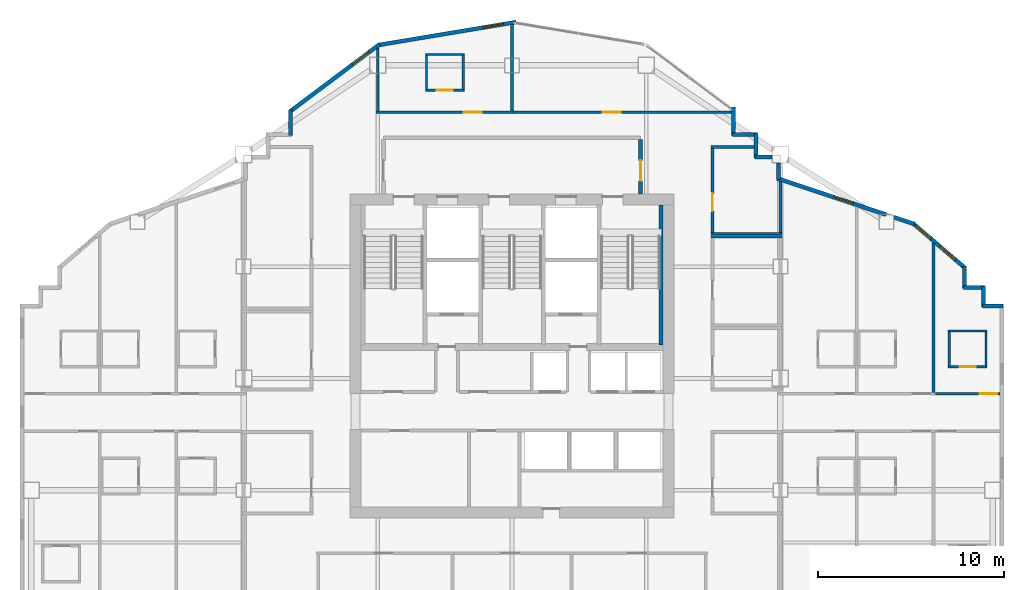
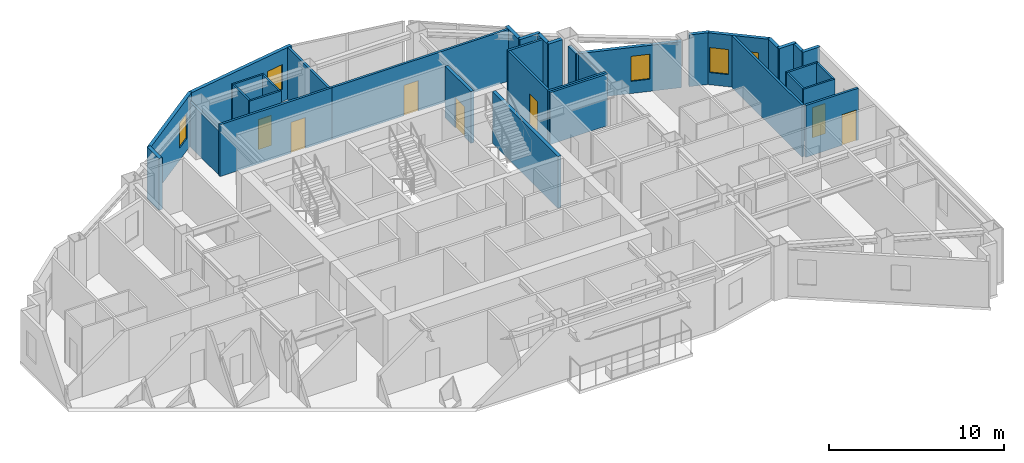
# One storey, part 9 of 11: 36 walls, 7 doors, 5 windows, 12 openings.
"""IFC4 building model written with IfcOpenShell, lengths in metres."""

from ifc_helpers import new_model, si_unit, direction, frame, frame_2d, origin, place, context, subcontext, project, spatial, rectangle, extrude, material, layer, layer_set, type_object, element, fill, save


model = new_model("IFC4")

# Units and contexts
model_context = context("Model", 3, precision=1e-05, world=origin(), true_north=direction((0.0, 1.0)))
body_context = subcontext(model_context, "Body", "Model", "MODEL_VIEW")
ifc_project = project(units=[si_unit("LENGTHUNIT", "METRE"), si_unit("AREAUNIT", "SQUARE_METRE"), si_unit("VOLUMEUNIT", "CUBIC_METRE"), si_unit("PLANEANGLEUNIT", "RADIAN"), si_unit("MASSUNIT", "GRAM", prefix="KILO")], contexts=[model_context])

# Site, building, storey
site_placement = place(None, origin())
site = spatial("IfcSite", under=ifc_project, at=site_placement, CompositionType="ELEMENT")
building_placement = place(site_placement, origin())
building = spatial("IfcBuilding", under=site, at=building_placement, Name="Haolan Belvedere Tower", CompositionType="ELEMENT")
storey_placement = place(building_placement, frame((0.0, 0.0, 223.0)))
storey = spatial("IfcBuildingStorey", under=building, at=storey_placement, Name="L56", CompositionType="ELEMENT", Elevation=223.0)

# Walls
ifc_material_1 = material(Name="Precast concrete C40/50", Category="concrete")
ifc_layer_1 = layer(ifc_material_1, 0.219970703125, Name="Precast concrete C40/50")
ifc_layer_set_1 = layer_set([ifc_layer_1], Name="Precast concrete C40/50")
wall_type_1 = type_object("IfcWallType", Name="WL-EXT-220", PredefinedType="SOLIDWALL", material=ifc_layer_set_1)
wall_1_placement = place(storey_placement, frame((64.7451171875, 37.489990234375, 0.0), z_axis=(0.0, 0.0, 1.0), x_axis=(-1.0, 0.0, 0.0)))
element("IfcWall", 1, at=wall_1_placement, inside=storey, type_object=wall_type_1, Name="L56 pale-metal exterior spandrel wall 9.1", PredefinedType="SOLIDWALL", context=body_context, shape_type="SweptSolid", body=[
    extrude(rectangle(XDim=1.110107421875, YDim=0.219970703125, at=frame_2d((0.55517578125, 0.0))), origin(), (0.0, 0.0, 1.0), 3.6201171875),
])
wall_2_placement = place(storey_placement, frame((63.68994140625, 37.43505859375, 0.0), z_axis=(0.0, 0.0, 1.0), x_axis=(0.0, 1.0, 0.0)))
element("IfcWall", 2, at=wall_2_placement, inside=storey, type_object=wall_type_1, Name="L56 pale-metal exterior spandrel wall 10.1", PredefinedType="SOLIDWALL", context=body_context, shape_type="SweptSolid", body=[
    extrude(rectangle(XDim=1.10986328125, YDim=0.219970703125, at=frame_2d((0.554931640625, 0.0))), origin(), (0.0, 0.0, 1.0), 3.6201171875),
])
wall_3_placement = place(storey_placement, frame((63.7451171875, 38.489990234375, 0.0), z_axis=(0.0, 0.0, 1.0), x_axis=(-1.0, 0.0, 0.0)))
element("IfcWall", 3, at=wall_3_placement, inside=storey, type_object=wall_type_1, Name="L56 pale-metal exterior spandrel wall 11.1", PredefinedType="SOLIDWALL", context=body_context, shape_type="SweptSolid", body=[
    extrude(rectangle(XDim=1.110107421875, YDim=0.219970703125, at=frame_2d((0.55517578125, 0.0))), origin(), (0.0, 0.0, 1.0), 3.6201171875),
])
wall_4_placement = place(storey_placement, frame((62.68994140625, 38.43505859375, 0.0), z_axis=(0.0, 0.0, 1.0), x_axis=(0.0, 1.0, 0.0)))
element("IfcWall", 4, at=wall_4_placement, inside=storey, type_object=wall_type_1, Name="L56 pale-metal exterior spandrel wall 12.1", PredefinedType="SOLIDWALL", context=body_context, shape_type="SweptSolid", body=[
    extrude(rectangle(XDim=1.16943359375, YDim=0.219970703125, at=frame_2d((0.584716796875, 0.0))), origin(), (0.0, 0.0, 1.0), 3.6201171875),
])

# Wall, openings, windows
wall_5_placement = place(storey_placement, frame((62.731689453125, 39.513671875, 0.0), z_axis=(0.0, 0.0, 1.0), x_axis=(-0.759251976569, 0.65079677018, 0.0)))
wall_5 = element("IfcWall", 5, at=wall_5_placement, inside=storey, type_object=wall_type_1, Name="L56 pale-metal exterior spandrel wall 13.1", PredefinedType="SOLIDWALL", context=body_context, shape_type="SweptSolid", body=[
    extrude(rectangle(XDim=3.7255859375, YDim=0.219970703125, at=frame_2d((1.86279296875, 0.0))), origin(), (0.0, 0.0, 1.0), 3.6201171875),
])
opening_1_placement = place(wall_5_placement, frame((0.699951171875, 0.0, 0.85009765625)))
opening_1 = element("IfcOpeningElement", 6, at=opening_1_placement, cuts=wall_5, Name="Opening W-03", PredefinedType="OPENING", context=body_context, shape_type="SweptSolid", body=[
    extrude(rectangle(XDim=1.10009765625, YDim=1.75, at=frame_2d((0.550048828125, 0.875))), frame((0.0, 0.119873046875, 0.0), z_axis=(0.0, -1.0, 0.0), x_axis=(1.0, 0.0, 0.0)), (0.0, 0.0, 1.0), 0.239990234375),
])
opening_2_placement = place(wall_5_placement, frame((2.435546875, 0.0, 0.85009765625)))
opening_2 = element("IfcOpeningElement", 7, at=opening_2_placement, cuts=wall_5, Name="Opening W-03", PredefinedType="OPENING", context=body_context, shape_type="SweptSolid", body=[
    extrude(rectangle(XDim=1.10009765625, YDim=1.75, at=frame_2d((0.550048828125, 0.875))), frame((0.0, 0.119873046875, 0.0), z_axis=(0.0, -1.0, 0.0), x_axis=(1.0, 0.0, 0.0)), (0.0, 0.0, 1.0), 0.239990234375),
])
ifc_material_2 = material(Name="Anodised aluminium 6063-T6 and Low-E glass", Category="aluminium")
window_type = type_object("IfcWindowType", Name="WN-DECO-Z3", PartitioningType="SINGLE_PANEL", PredefinedType="WINDOW", material=ifc_material_2)
window_1_placement = place(opening_1_placement, origin())
window_1 = element("IfcWindow", 8, at=window_1_placement, inside=storey, type_object=window_type, Name="L56 Art Deco chevron window 1", OverallHeight=1.75, OverallWidth=1.10009765625, PartitioningType="SINGLE_PANEL", PredefinedType="WINDOW", context=body_context, shape_type="SweptSolid", body=[
    extrude(rectangle(XDim=1.10009765625, YDim=1.75, at=frame_2d((0.550048828125, 0.875))), frame((0.0, 0.030029296875, 0.0), z_axis=(0.0, -1.0, 0.0), x_axis=(1.0, 0.0, 0.0)), (0.0, 0.0, 1.0), 0.06005859375),
])
fill(opening_1, window_1)
window_2_placement = place(opening_2_placement, origin())
window_2 = element("IfcWindow", 9, at=window_2_placement, inside=storey, type_object=window_type, Name="L56 Art Deco guestroom window 2", OverallHeight=1.75, OverallWidth=1.10009765625, PartitioningType="SINGLE_PANEL", PredefinedType="WINDOW", context=body_context, shape_type="SweptSolid", body=[
    extrude(rectangle(XDim=1.10009765625, YDim=1.75, at=frame_2d((0.550048828125, 0.875))), frame((0.0, 0.030029296875, 0.0), z_axis=(0.0, -1.0, 0.0), x_axis=(1.0, 0.0, 0.0)), (0.0, 0.0, 1.0), 0.06005859375),
])
fill(opening_2, window_2)

# Wall
wall_6_placement = place(storey_placement, frame((59.9970703125, 41.885009765625, 0.0), z_axis=(0.0, 0.0, 1.0), x_axis=(-0.948662335685, 0.316290646166, 0.0)))
element("IfcWall", 10, at=wall_6_placement, inside=storey, type_object=wall_type_1, Name="L56 pale-metal exterior spandrel wall 14.1", PredefinedType="SOLIDWALL", context=body_context, shape_type="SweptSolid", body=[
    extrude(rectangle(XDim=1.164794921875, YDim=0.219970703125, at=frame_2d((0.58251953125, 0.0))), origin(), (0.0, 0.0, 1.0), 3.6201171875),
])

# Wall, opening, window
wall_7_placement = place(storey_placement, frame((58.476318359375, 42.39208984375, 0.0), z_axis=(0.0, 0.0, 1.0), x_axis=(-0.948691231611, 0.316203964339, 0.0)))
wall_7 = element("IfcWall", 11, at=wall_7_placement, inside=storey, type_object=wall_type_1, Name="L56 pale-metal exterior spandrel wall 14.2", PredefinedType="SOLIDWALL", context=body_context, shape_type="SweptSolid", body=[
    extrude(rectangle(XDim=6.154296875, YDim=0.219970703125, at=frame_2d((3.0771484375, 0.0))), origin(), (0.0, 0.0, 1.0), 3.215087890625),
])
opening_3_placement = place(wall_7_placement, frame((1.862548828125, 0.0, 0.85009765625)))
opening_3 = element("IfcOpeningElement", 12, at=opening_3_placement, cuts=wall_7, Name="Opening W-03", PredefinedType="OPENING", context=body_context, shape_type="SweptSolid", body=[
    extrude(rectangle(XDim=1.10009765625, YDim=1.75, at=frame_2d((0.550048828125, 0.875))), frame((0.0, 0.119873046875, 0.0), z_axis=(0.0, -1.0, 0.0), x_axis=(1.0, 0.0, 0.0)), (0.0, 0.0, 1.0), 0.239990234375),
])
window_3_placement = place(opening_3_placement, origin())
window_3 = element("IfcWindow", 13, at=window_3_placement, inside=storey, type_object=window_type, Name="L56 Art Deco chevron window 1", OverallHeight=1.75, OverallWidth=1.10009765625, PartitioningType="SINGLE_PANEL", PredefinedType="WINDOW", context=body_context, shape_type="SweptSolid", body=[
    extrude(rectangle(XDim=1.10009765625, YDim=1.75, at=frame_2d((0.550048828125, 0.875))), frame((0.0, 0.030029296875, 0.0), z_axis=(0.0, -1.0, 0.0), x_axis=(1.0, 0.0, 0.0)), (0.0, 0.0, 1.0), 0.06005859375),
])
fill(opening_3, window_3)

# Walls
wall_8_placement = place(storey_placement, frame((52.68994140625, 44.265625, 0.0), z_axis=(0.0, 0.0, 1.0), x_axis=(0.0, 1.0, 0.0)))
element("IfcWall", 14, at=wall_8_placement, inside=storey, type_object=wall_type_1, Name="L56 pale-metal exterior spandrel wall 15.1", PredefinedType="SOLIDWALL", context=body_context, shape_type="SweptSolid", body=[
    extrude(rectangle(XDim=0.892333984375, YDim=0.219970703125, at=frame_2d((0.4462890625, 0.0))), origin(), (0.0, 0.0, 1.0), 3.215087890625),
])
wall_9_placement = place(storey_placement, frame((52.35791015625, 45.489990234375, 0.0), z_axis=(0.0, 0.0, 1.0), x_axis=(-1.0, 0.0, 0.0)))
element("IfcWall", 15, at=wall_9_placement, inside=storey, type_object=wall_type_1, Name="L56 pale-metal exterior spandrel wall 16.1", PredefinedType="SOLIDWALL", context=body_context, shape_type="SweptSolid", body=[
    extrude(rectangle(XDim=0.9228515625, YDim=0.219970703125, at=frame_2d((0.46142578125, 0.0))), origin(), (0.0, 0.0, 1.0), 3.6201171875),
])
wall_10_placement = place(storey_placement, frame((51.489990234375, 45.43505859375, 0.0), z_axis=(0.0, 0.0, 1.0), x_axis=(0.0, 1.0, 0.0)))
element("IfcWall", 16, at=wall_10_placement, inside=storey, type_object=wall_type_1, Name="L56 pale-metal exterior spandrel wall 17.1", PredefinedType="SOLIDWALL", context=body_context, shape_type="SweptSolid", body=[
    extrude(rectangle(XDim=1.31005859375, YDim=0.219970703125, at=frame_2d((0.655029296875, 0.0))), origin(), (0.0, 0.0, 1.0), 3.6201171875),
])
wall_11_placement = place(storey_placement, frame((51.544921875, 46.68994140625, 0.0), z_axis=(0.0, 0.0, 1.0), x_axis=(-1.0, 0.0, 0.0)))
element("IfcWall", 17, at=wall_11_placement, inside=storey, type_object=wall_type_1, Name="L56 pale-metal exterior spandrel wall 18.1", PredefinedType="SOLIDWALL", context=body_context, shape_type="SweptSolid", body=[
    extrude(rectangle(XDim=1.309814453125, YDim=0.219970703125, at=frame_2d((0.65478515625, 0.0))), origin(), (0.0, 0.0, 1.0), 3.6201171875),
])
wall_12_placement = place(storey_placement, frame((50.2900390625, 46.635009765625, 0.0), z_axis=(0.0, 0.0, 1.0), x_axis=(0.0, 1.0, 0.0)))
element("IfcWall", 18, at=wall_12_placement, inside=storey, type_object=wall_type_1, Name="L56 pale-metal exterior spandrel wall 19.1", PredefinedType="SOLIDWALL", context=body_context, shape_type="SweptSolid", body=[
    extrude(rectangle(XDim=1.534912109375, YDim=0.219970703125, at=frame_2d((0.767578125, 0.0))), origin(), (0.0, 0.0, 1.0), 3.6201171875),
])

# Wall, opening, window
wall_13_placement = place(storey_placement, frame((38.621826171875, 52.7255859375, 0.0), z_axis=(0.0, 0.0, 1.0), x_axis=(-0.986390420428, -0.164420006349, 0.0)))
wall_13 = element("IfcWall", 19, at=wall_13_placement, inside=storey, type_object=wall_type_1, Name="L56 pale-metal exterior spandrel wall 22.1", PredefinedType="SOLIDWALL", context=body_context, shape_type="SweptSolid", body=[
    extrude(rectangle(XDim=7.5341796875, YDim=0.219970703125, at=frame_2d((3.76708984375, 0.0))), origin(), (0.0, 0.0, 1.0), 3.6201171875),
])
opening_4_placement = place(wall_13_placement, frame((0.699951171875, 0.0, 0.85009765625)))
opening_4 = element("IfcOpeningElement", 20, at=opening_4_placement, cuts=wall_13, Name="Opening W-03", PredefinedType="OPENING", context=body_context, shape_type="SweptSolid", body=[
    extrude(rectangle(XDim=1.10009765625, YDim=1.75, at=frame_2d((0.550048828125, 0.875))), frame((0.0, 0.119873046875, 0.0), z_axis=(0.0, -1.0, 0.0), x_axis=(1.0, 0.0, 0.0)), (0.0, 0.0, 1.0), 0.239990234375),
])
window_4_placement = place(opening_4_placement, origin())
window_4 = element("IfcWindow", 21, at=window_4_placement, inside=storey, type_object=window_type, Name="L56 Art Deco chevron window 1", OverallHeight=1.75, OverallWidth=1.10009765625, PartitioningType="SINGLE_PANEL", PredefinedType="WINDOW", context=body_context, shape_type="SweptSolid", body=[
    extrude(rectangle(XDim=1.10009765625, YDim=1.75, at=frame_2d((0.550048828125, 0.875))), frame((0.0, 0.030029296875, 0.0), z_axis=(0.0, -1.0, 0.0), x_axis=(1.0, 0.0, 0.0)), (0.0, 0.0, 1.0), 0.06005859375),
])
fill(opening_4, window_4)

wall_14_placement = place(storey_placement, frame((31.28857421875, 51.52880859375, 0.0), z_axis=(0.0, 0.0, 1.0), x_axis=(-0.800014580093, -0.599980559383, 0.0)))
wall_14 = element("IfcWall", 22, at=wall_14_placement, inside=storey, type_object=wall_type_1, Name="L56 pale-metal exterior spandrel wall 23.1", PredefinedType="SOLIDWALL", context=body_context, shape_type="SweptSolid", body=[
    extrude(rectangle(XDim=6.028076171875, YDim=0.219970703125, at=frame_2d((3.01416015625, 0.0))), origin(), (0.0, 0.0, 1.0), 3.6201171875),
])
opening_5_placement = place(wall_14_placement, frame((0.699951171875, 0.0, 0.85009765625)))
opening_5 = element("IfcOpeningElement", 23, at=opening_5_placement, cuts=wall_14, Name="Opening W-03", PredefinedType="OPENING", context=body_context, shape_type="SweptSolid", body=[
    extrude(rectangle(XDim=1.10009765625, YDim=1.75, at=frame_2d((0.550048828125, 0.875))), frame((0.0, 0.119873046875, 0.0), z_axis=(0.0, -1.0, 0.0), x_axis=(1.0, 0.0, 0.0)), (0.0, 0.0, 1.0), 0.239990234375),
])
window_5_placement = place(opening_5_placement, origin())
window_5 = element("IfcWindow", 24, at=window_5_placement, inside=storey, type_object=window_type, Name="L56 Art Deco chevron window 1", OverallHeight=1.75, OverallWidth=1.10009765625, PartitioningType="SINGLE_PANEL", PredefinedType="WINDOW", context=body_context, shape_type="SweptSolid", body=[
    extrude(rectangle(XDim=1.10009765625, YDim=1.75, at=frame_2d((0.550048828125, 0.875))), frame((0.0, 0.030029296875, 0.0), z_axis=(0.0, -1.0, 0.0), x_axis=(1.0, 0.0, 0.0)), (0.0, 0.0, 1.0), 0.06005859375),
])
fill(opening_5, window_5)

# Wall
wall_15_placement = place(storey_placement, frame((26.510009765625, 48.0, 0.0), z_axis=(0.0, 0.0, 1.0), x_axis=(0.0, -1.0, 0.0)))
element("IfcWall", 25, at=wall_15_placement, inside=storey, type_object=wall_type_1, Name="L56 pale-metal exterior spandrel wall 24.1", PredefinedType="SOLIDWALL", context=body_context, shape_type="SweptSolid", body=[
    extrude(rectangle(XDim=1.364990234375, YDim=0.219970703125, at=frame_2d((0.6826171875, 0.0))), origin(), (0.0, 0.0, 1.0), 3.6201171875),
])

# Wall, opening, door
ifc_material_3 = material(Name="Concrete C40/50", Category="concrete")
ifc_layer_2 = layer(ifc_material_3, 0.199951171875, Name="Concrete C40/50")
ifc_layer_set_2 = layer_set([ifc_layer_2], Name="Concrete C40/50")
wall_type_2 = type_object("IfcWallType", Name="WL-FIRE-200", PredefinedType="SOLIDWALL", material=ifc_layer_set_2)
wall_16_placement = place(storey_placement, frame((45.300048828125, 43.5, 0.0), z_axis=(0.0, 0.0, 1.0), x_axis=(0.0, 1.0, 0.0)))
wall_16 = element("IfcWall", 26, at=wall_16_placement, inside=storey, type_object=wall_type_2, Name="L56 interior partition IW-L56-FFL-E", PredefinedType="SOLIDWALL", context=body_context, shape_type="SweptSolid", body=[
    extrude(rectangle(XDim=2.93505859375, YDim=0.199951171875, at=frame_2d((1.467529296875, 0.0))), origin(), (0.0, 0.0, 1.0), 3.6201171875),
])
opening_6_placement = place(wall_16_placement, frame((0.699951171875, 0.0, 0.0)))
opening_6 = element("IfcOpeningElement", 27, at=opening_6_placement, cuts=wall_16, Name="Opening FD-03", PredefinedType="OPENING", context=body_context, shape_type="SweptSolid", body=[
    extrude(rectangle(XDim=1.10009765625, YDim=2.14990234375, at=frame_2d((0.550048828125, 1.074951171875))), frame((0.0, 0.10986328125, 0.0), z_axis=(0.0, -1.0, 0.0), x_axis=(1.0, 0.0, 0.0)), (0.0, 0.0, 1.0), 0.219970703125),
])
ifc_material_4 = material(Name="Galvanised fire-rated steel", Category="steel")
door_type_1 = type_object("IfcDoorType", Name="DR-FD90-1100", OperationType="NOTDEFINED", PredefinedType="DOOR", material=ifc_material_4)
door_1_placement = place(opening_6_placement, origin())
door_1 = element("IfcDoor", 28, at=door_1_placement, inside=storey, type_object=door_type_1, Name="L56 door ID-L56-FFL-DE", OperationType="SINGLE_SWING_RIGHT", OverallHeight=2.14990234375, OverallWidth=1.10009765625, PredefinedType="DOOR", context=body_context, shape_type="SweptSolid", body=[
    extrude(rectangle(XDim=1.10009765625, YDim=2.14990234375, at=frame_2d((0.550048828125, 1.074951171875))), frame((0.0, 0.02490234375, 0.0), z_axis=(0.0, -1.0, 0.0), x_axis=(1.0, 0.0, 0.0)), (0.0, 0.0, 1.0), 0.050048828125),
])
fill(opening_6, door_1)

# Walls
ifc_material_5 = material(Name="Double gypsum acoustic stud partition", Category="masonry")
ifc_layer_3 = layer(ifc_material_5, 0.14990234375, Name="Double gypsum acoustic stud partition")
ifc_layer_set_3 = layer_set([ifc_layer_3], Name="Double gypsum acoustic stud partition")
wall_type_3 = type_object("IfcWallType", Name="WL-PART-150", PredefinedType="PARTITIONING", material=ifc_layer_set_3)
wall_17_placement = place(storey_placement, frame((49.080078125, 41.199951171875, 0.0), z_axis=(0.0, 0.0, 1.0), x_axis=(1.0, 0.0, 0.0)))
element("IfcWall", 29, at=wall_17_placement, inside=storey, type_object=wall_type_3, Name="L56 interior partition IW-L56-STY-N", PredefinedType="PARTITIONING", context=body_context, shape_type="SweptSolid", body=[
    extrude(rectangle(XDim=3.7998046875, YDim=0.14990234375, at=frame_2d((1.89990234375, 0.0))), origin(), (0.0, 0.0, 1.0), 3.6201171875),
])
wall_18_placement = place(storey_placement, frame((49.080078125, 46.02001953125, 0.0), z_axis=(0.0, 0.0, 1.0), x_axis=(1.0, 0.0, 0.0)))
element("IfcWall", 30, at=wall_18_placement, inside=storey, type_object=wall_type_3, Name="L56 interior partition IW-L56-PNT-N", PredefinedType="PARTITIONING", context=body_context, shape_type="SweptSolid", body=[
    extrude(rectangle(XDim=2.307861328125, YDim=0.14990234375, at=frame_2d((1.15380859375, 0.0))), origin(), (0.0, 0.0, 1.0), 3.6201171875),
])
wall_19_placement = place(storey_placement, frame((49.080078125, 41.360107421875, 0.0), z_axis=(0.0, 0.0, 1.0), x_axis=(1.0, 0.0, 0.0)))
element("IfcWall", 31, at=wall_19_placement, inside=storey, type_object=wall_type_3, Name="L56 interior partition IW-L56-PNT-S", PredefinedType="PARTITIONING", context=body_context, shape_type="SweptSolid", body=[
    extrude(rectangle(XDim=3.7998046875, YDim=0.14990234375, at=frame_2d((1.89990234375, 0.0))), origin(), (0.0, 0.0, 1.0), 3.6201171875),
])

# Wall, opening, door
wall_20_placement = place(storey_placement, frame((49.159912109375, 41.419921875, 0.0), z_axis=(0.0, 0.0, 1.0), x_axis=(0.0, 1.0, 0.0)))
wall_20 = element("IfcWall", 32, at=wall_20_placement, inside=storey, type_object=wall_type_3, Name="L56 interior partition IW-L56-PNT-W", PredefinedType="PARTITIONING", context=body_context, shape_type="SweptSolid", body=[
    extrude(rectangle(XDim=4.5400390625, YDim=0.14990234375, at=frame_2d((2.27001953125, 0.0))), origin(), (0.0, 0.0, 1.0), 3.6201171875),
])
opening_7_placement = place(wall_20_placement, frame((1.159912109375, 0.0, 0.0)))
opening_7 = element("IfcOpeningElement", 33, at=opening_7_placement, cuts=wall_20, Name="Opening ID-03", PredefinedType="OPENING", context=body_context, shape_type="SweptSolid", body=[
    extrude(rectangle(XDim=0.949951171875, YDim=2.1201171875, at=frame_2d((0.47509765625, 1.06005859375))), frame((0.0, 0.0849609375, 0.0), z_axis=(0.0, -1.0, 0.0), x_axis=(1.0, 0.0, 0.0)), (0.0, 0.0, 1.0), 0.169921875),
])
ifc_material_6 = material(Name="Painted solid-core timber", Category="wood")
door_type_2 = type_object("IfcDoorType", Name="DR-INT-950", OperationType="NOTDEFINED", PredefinedType="DOOR", material=ifc_material_6)
door_2_placement = place(opening_7_placement, origin())
door_2 = element("IfcDoor", 34, at=door_2_placement, inside=storey, type_object=door_type_2, Name="L56 door ID-L56-PNT", OperationType="SINGLE_SWING_LEFT", OverallHeight=2.1201171875, OverallWidth=0.949951171875, PredefinedType="DOOR", context=body_context, shape_type="SweptSolid", body=[
    extrude(rectangle(XDim=0.949951171875, YDim=2.1201171875, at=frame_2d((0.47509765625, 1.06005859375))), frame((0.0, 0.02490234375, 0.0), z_axis=(0.0, -1.0, 0.0), x_axis=(1.0, 0.0, 0.0)), (0.0, 0.0, 1.0), 0.050048828125),
])
fill(opening_7, door_2)

# Wall
wall_21_placement = place(storey_placement, frame((52.800048828125, 41.419921875, 0.0), z_axis=(0.0, 0.0, 1.0), x_axis=(0.0, 1.0, 0.0)))
element("IfcWall", 35, at=wall_21_placement, inside=storey, type_object=wall_type_3, Name="L56 interior partition IW-L56-PNT-E", PredefinedType="PARTITIONING", context=body_context, shape_type="SweptSolid", body=[
    extrude(rectangle(XDim=2.756591796875, YDim=0.14990234375, at=frame_2d((1.37841796875, 0.0))), origin(), (0.0, 0.0, 1.0), 3.215087890625),
])

# Wall, opening, door
wall_22_placement = place(storey_placement, frame((31.10009765625, 47.8798828125, 0.0), z_axis=(0.0, 0.0, 1.0), x_axis=(1.0, 0.0, 0.0)))
wall_22 = element("IfcWall", 36, at=wall_22_placement, inside=storey, type_object=wall_type_3, Name="L56 interior partition IW-L56-KN2-S", PredefinedType="PARTITIONING", context=body_context, shape_type="SweptSolid", body=[
    extrude(rectangle(XDim=7.39990234375, YDim=0.14990234375, at=frame_2d((3.699951171875, 0.0))), origin(), (0.0, 0.0, 1.0), 3.6201171875),
])
opening_8_placement = place(wall_22_placement, frame((4.713623046875, 0.0, 0.0)))
opening_8 = element("IfcOpeningElement", 37, at=opening_8_placement, cuts=wall_22, Name="Opening ID-02", PredefinedType="OPENING", context=body_context, shape_type="SweptSolid", body=[
    extrude(rectangle(XDim=0.949951171875, YDim=2.14990234375, at=frame_2d((0.47509765625, 1.074951171875))), frame((0.0, 0.0849609375, 0.0), z_axis=(0.0, -1.0, 0.0), x_axis=(1.0, 0.0, 0.0)), (0.0, 0.0, 1.0), 0.169921875),
])
ifc_material_7 = material(Name="Acoustic oak veneer fire-rated timber", Category="wood")
door_type_3 = type_object("IfcDoorType", Name="DR-GUEST-950", OperationType="NOTDEFINED", PredefinedType="DOOR", material=ifc_material_7)
door_3_placement = place(opening_8_placement, origin())
door_3 = element("IfcDoor", 38, at=door_3_placement, inside=storey, type_object=door_type_3, Name="L56 door ID-L56-KN2-ENT", OperationType="SINGLE_SWING_RIGHT", OverallHeight=2.14990234375, OverallWidth=0.949951171875, PredefinedType="DOOR", context=body_context, shape_type="SweptSolid", body=[
    extrude(rectangle(XDim=0.949951171875, YDim=2.14990234375, at=frame_2d((0.47509765625, 1.074951171875))), frame((0.0, 0.02490234375, 0.0), z_axis=(0.0, -1.0, 0.0), x_axis=(1.0, 0.0, 0.0)), (0.0, 0.0, 1.0), 0.050048828125),
])
fill(opening_8, door_3)

# Walls
wall_23_placement = place(storey_placement, frame((31.199951171875, 47.93994140625, 0.0), z_axis=(0.0, 0.0, 1.0), x_axis=(0.0, 1.0, 0.0)))
element("IfcWall", 39, at=wall_23_placement, inside=storey, type_object=wall_type_3, Name="L56 interior partition IW-L56-KN2-W", PredefinedType="PARTITIONING", context=body_context, shape_type="SweptSolid", body=[
    extrude(rectangle(XDim=3.39501953125, YDim=0.14990234375, at=frame_2d((1.697509765625, 0.0))), origin(), (0.0, 0.0, 1.0), 3.10498046875),
])
wall_24_placement = place(storey_placement, frame((38.39990234375, 47.93994140625, 0.0), z_axis=(0.0, 0.0, 1.0), x_axis=(0.0, 1.0, 0.0)))
element("IfcWall", 40, at=wall_24_placement, inside=storey, type_object=wall_type_3, Name="L56 interior partition IW-L56-KN2-E", PredefinedType="PARTITIONING", context=body_context, shape_type="SweptSolid", body=[
    extrude(rectangle(XDim=4.645263671875, YDim=0.14990234375, at=frame_2d((2.32275390625, 0.0))), origin(), (0.0, 0.0, 1.0), 3.6201171875),
])

# Wall, opening, door
wall_25_placement = place(storey_placement, frame((38.501953125, 47.8798828125, 0.0), z_axis=(0.0, 0.0, 1.0), x_axis=(1.0, 0.0, 0.0)))
wall_25 = element("IfcWall", 41, at=wall_25_placement, inside=storey, type_object=wall_type_3, Name="L56 interior partition IW-L56-KN3-S", PredefinedType="PARTITIONING", context=body_context, shape_type="SweptSolid", body=[
    extrude(rectangle(XDim=11.68603515625, YDim=0.14990234375, at=frame_2d((5.843017578125, 0.0))), origin(), (0.0, 0.0, 1.0), 3.6201171875),
])
opening_9_placement = place(wall_25_placement, frame((4.77294921875, 0.0, 0.0)))
opening_9 = element("IfcOpeningElement", 42, at=opening_9_placement, cuts=wall_25, Name="Opening ID-03", PredefinedType="OPENING", context=body_context, shape_type="SweptSolid", body=[
    extrude(rectangle(XDim=0.949951171875, YDim=2.1201171875, at=frame_2d((0.47509765625, 1.06005859375))), frame((0.0, 0.0849609375, 0.0), z_axis=(0.0, -1.0, 0.0), x_axis=(1.0, 0.0, 0.0)), (0.0, 0.0, 1.0), 0.169921875),
])
door_4_placement = place(opening_9_placement, origin())
door_4 = element("IfcDoor", 43, at=door_4_placement, inside=storey, type_object=door_type_2, Name="L56 door ID-L56-KN3", OperationType="SINGLE_SWING_LEFT", OverallHeight=2.1201171875, OverallWidth=0.949951171875, PredefinedType="DOOR", context=body_context, shape_type="SweptSolid", body=[
    extrude(rectangle(XDim=0.949951171875, YDim=2.1201171875, at=frame_2d((0.47509765625, 1.06005859375))), frame((0.0, 0.02490234375, 0.0), z_axis=(0.0, -1.0, 0.0), x_axis=(1.0, 0.0, 0.0)), (0.0, 0.0, 1.0), 0.050048828125),
])
fill(opening_9, door_4)

# Wall
wall_26_placement = place(storey_placement, frame((61.010009765625, 32.840087890625, 0.0), z_axis=(0.0, 0.0, 1.0), x_axis=(0.0, 1.0, 0.0)))
element("IfcWall", 44, at=wall_26_placement, inside=storey, type_object=wall_type_3, Name="L56 interior partition IW-L56-T4N2-E", PredefinedType="PARTITIONING", context=body_context, shape_type="SweptSolid", body=[
    extrude(rectangle(XDim=8.014892578125, YDim=0.14990234375, at=frame_2d((4.00732421875, 0.0))), origin(), (0.0, 0.0, 1.0), 3.6201171875),
])

# Wall, opening, door
wall_27_placement = place(storey_placement, frame((61.112060546875, 32.780029296875, 0.0), z_axis=(0.0, 0.0, 1.0), x_axis=(1.0, 0.0, 0.0)))
wall_27 = element("IfcWall", 45, at=wall_27_placement, inside=storey, type_object=wall_type_3, Name="L56 interior partition IW-L56-T4N3-S", PredefinedType="PARTITIONING", context=body_context, shape_type="SweptSolid", body=[
    extrude(rectangle(XDim=3.475830078125, YDim=0.14990234375, at=frame_2d((1.73779296875, 0.0))), origin(), (0.0, 0.0, 1.0), 3.6201171875),
])
opening_10_placement = place(wall_27_placement, frame((2.385986328125, 0.0, 0.0)))
opening_10 = element("IfcOpeningElement", 46, at=opening_10_placement, cuts=wall_27, Name="Opening ID-02", PredefinedType="OPENING", context=body_context, shape_type="SweptSolid", body=[
    extrude(rectangle(XDim=0.949951171875, YDim=2.14990234375, at=frame_2d((0.47509765625, 1.074951171875))), frame((0.0, 0.0849609375, 0.0), z_axis=(0.0, -1.0, 0.0), x_axis=(1.0, 0.0, 0.0)), (0.0, 0.0, 1.0), 0.169921875),
])
door_5_placement = place(opening_10_placement, origin())
door_5 = element("IfcDoor", 47, at=door_5_placement, inside=storey, type_object=door_type_3, Name="L56 door ID-L56-T4N3-ENT", OperationType="SINGLE_SWING_RIGHT", OverallHeight=2.14990234375, OverallWidth=0.949951171875, PredefinedType="DOOR", context=body_context, shape_type="SweptSolid", body=[
    extrude(rectangle(XDim=0.949951171875, YDim=2.14990234375, at=frame_2d((0.47509765625, 1.074951171875))), frame((0.0, 0.02490234375, 0.0), z_axis=(0.0, -1.0, 0.0), x_axis=(1.0, 0.0, 0.0)), (0.0, 0.0, 1.0), 0.050048828125),
])
fill(opening_10, door_5)

# Walls
ifc_material_8 = material(Name="Concrete C50/60", Category="concrete")
ifc_layer_4 = layer(ifc_material_8, 0.219970703125, Name="Concrete C50/60")
ifc_layer_set_4 = layer_set([ifc_layer_4], Name="Concrete C50/60")
wall_type_4 = type_object("IfcWallType", Name="WL-STAIR-220", PredefinedType="SHEAR", material=ifc_layer_set_4)
wall_28_placement = place(storey_placement, frame((46.387939453125, 35.389892578125, 0.0), z_axis=(0.0, 0.0, 1.0), x_axis=(0.0, 1.0, 0.0)))
element("IfcWall", 48, at=wall_28_placement, inside=storey, type_object=wall_type_4, Name="L56 structural stair core wall ST2E", PredefinedType="SHEAR", context=body_context, shape_type="SweptSolid", body=[
    extrude(rectangle(XDim=7.510009765625, YDim=0.219970703125, at=frame_2d((3.7548828125, 0.0))), origin(), (0.0, 0.0, 1.0), 3.6201171875),
])
ifc_material_9 = material(Name="Moisture-resistant gypsum tile partition", Category="masonry")
ifc_layer_5 = layer(ifc_material_9, 0.1201171875, Name="Moisture-resistant gypsum tile partition")
ifc_layer_set_5 = layer_set([ifc_layer_5], Name="Moisture-resistant gypsum tile partition")
wall_type_5 = type_object("IfcWallType", Name="WL-WET-120", PredefinedType="PARTITIONING", material=ifc_layer_set_5)
wall_29_placement = place(storey_placement, frame((33.75, 50.97998046875, 0.0), z_axis=(0.0, 0.0, 1.0), x_axis=(1.0, 0.0, 0.0)))
element("IfcWall", 49, at=wall_29_placement, inside=storey, type_object=wall_type_5, Name="L56 interior partition IW-L56-KN2-BN", PredefinedType="PARTITIONING", context=body_context, shape_type="SweptSolid", body=[
    extrude(rectangle(XDim=2.10009765625, YDim=0.1201171875, at=frame_2d((1.050048828125, 0.0))), origin(), (0.0, 0.0, 1.0), 3.6201171875),
])

# Wall, opening, door
wall_30_placement = place(storey_placement, frame((33.75, 49.06005859375, 0.0), z_axis=(0.0, 0.0, 1.0), x_axis=(1.0, 0.0, 0.0)))
wall_30 = element("IfcWall", 50, at=wall_30_placement, inside=storey, type_object=wall_type_5, Name="L56 interior partition IW-L56-KN2-BS", PredefinedType="PARTITIONING", context=body_context, shape_type="SweptSolid", body=[
    extrude(rectangle(XDim=2.10009765625, YDim=0.1201171875, at=frame_2d((1.050048828125, 0.0))), origin(), (0.0, 0.0, 1.0), 3.6201171875),
])
opening_11_placement = place(wall_30_placement, frame((0.625, 0.0, 0.0)))
opening_11 = element("IfcOpeningElement", 51, at=opening_11_placement, cuts=wall_30, Name="Opening ID-05", PredefinedType="OPENING", context=body_context, shape_type="SweptSolid", body=[
    extrude(rectangle(XDim=0.85009765625, YDim=2.10009765625, at=frame_2d((0.425048828125, 1.050048828125))), frame((0.0, 0.070068359375, 0.0), z_axis=(0.0, -1.0, 0.0), x_axis=(1.0, 0.0, 0.0)), (0.0, 0.0, 1.0), 0.14013671875),
])
ifc_material_10 = material(Name="Moisture-resistant lacquered timber", Category="wood")
door_type_4 = type_object("IfcDoorType", Name="DR-BATH-850", OperationType="NOTDEFINED", PredefinedType="DOOR", material=ifc_material_10)
door_6_placement = place(opening_11_placement, origin())
door_6 = element("IfcDoor", 52, at=door_6_placement, inside=storey, type_object=door_type_4, Name="L56 door ID-L56-KN2-BATH", OperationType="SINGLE_SWING_LEFT", OverallHeight=2.10009765625, OverallWidth=0.85009765625, PredefinedType="DOOR", context=body_context, shape_type="SweptSolid", body=[
    extrude(rectangle(XDim=0.85009765625, YDim=2.10009765625, at=frame_2d((0.425048828125, 1.050048828125))), frame((0.0, 0.02490234375, 0.0), z_axis=(0.0, -1.0, 0.0), x_axis=(1.0, 0.0, 0.0)), (0.0, 0.0, 1.0), 0.050048828125),
])
fill(opening_11, door_6)

# Walls
for number, where, z_axis, x_axis, name in (
    (53, (33.81005859375, 49.10498046875, 0.0), (0.0, 0.0, 1.0), (0.0, 1.0, 0.0), "L56 interior partition IW-L56-KN2-BW"),
    (54, (35.7900390625, 49.10498046875, 0.0), (0.0, 0.0, 1.0), (0.0, 1.0, 0.0), "L56 interior partition IW-L56-KN2-BE"),
):
    element("IfcWall", number, at=place(storey_placement, frame(where, z_axis=z_axis, x_axis=x_axis)), inside=storey, type_object=wall_type_5, Name=name, PredefinedType="PARTITIONING", context=body_context, shape_type="SweptSolid", body=[
        extrude(rectangle(XDim=1.830078125, YDim=0.1201171875, at=frame_2d((0.9150390625, 0.0))), origin(), (0.0, 0.0, 1.0), 3.6201171875),
    ])
wall_31_placement = place(storey_placement, frame((61.797119140625, 36.14990234375, 0.0), z_axis=(0.0, 0.0, 1.0), x_axis=(1.0, 0.0, 0.0)))
element("IfcWall", 55, at=wall_31_placement, inside=storey, type_object=wall_type_5, Name="L56 interior partition IW-L56-T4N3-BN", PredefinedType="PARTITIONING", context=body_context, shape_type="SweptSolid", body=[
    extrude(rectangle(XDim=2.099853515625, YDim=0.1201171875, at=frame_2d((1.0498046875, 0.0))), origin(), (0.0, 0.0, 1.0), 3.6201171875),
])

# Wall, opening, door
wall_32_placement = place(storey_placement, frame((61.797119140625, 34.22998046875, 0.0), z_axis=(0.0, 0.0, 1.0), x_axis=(1.0, 0.0, 0.0)))
wall_32 = element("IfcWall", 56, at=wall_32_placement, inside=storey, type_object=wall_type_5, Name="L56 interior partition IW-L56-T4N3-BS", PredefinedType="PARTITIONING", context=body_context, shape_type="SweptSolid", body=[
    extrude(rectangle(XDim=2.099853515625, YDim=0.1201171875, at=frame_2d((1.0498046875, 0.0))), origin(), (0.0, 0.0, 1.0), 3.6201171875),
])
opening_12_placement = place(wall_32_placement, frame((0.625, 0.0, 0.0)))
opening_12 = element("IfcOpeningElement", 57, at=opening_12_placement, cuts=wall_32, Name="Opening ID-05", PredefinedType="OPENING", context=body_context, shape_type="SweptSolid", body=[
    extrude(rectangle(XDim=0.85009765625, YDim=2.10009765625, at=frame_2d((0.425048828125, 1.050048828125))), frame((0.0, 0.070068359375, 0.0), z_axis=(0.0, -1.0, 0.0), x_axis=(1.0, 0.0, 0.0)), (0.0, 0.0, 1.0), 0.14013671875),
])
door_7_placement = place(opening_12_placement, origin())
door_7 = element("IfcDoor", 58, at=door_7_placement, inside=storey, type_object=door_type_4, Name="L56 door ID-L56-T4N3-BATH", OperationType="SINGLE_SWING_LEFT", OverallHeight=2.10009765625, OverallWidth=0.85009765625, PredefinedType="DOOR", context=body_context, shape_type="SweptSolid", body=[
    extrude(rectangle(XDim=0.85009765625, YDim=2.10009765625, at=frame_2d((0.425048828125, 1.050048828125))), frame((0.0, 0.02490234375, 0.0), z_axis=(0.0, -1.0, 0.0), x_axis=(1.0, 0.0, 0.0)), (0.0, 0.0, 1.0), 0.050048828125),
])
fill(opening_12, door_7)

# Walls
for number, where, z_axis, x_axis, name in (
    (59, (61.85693359375, 34.27490234375, 0.0), (0.0, 0.0, 1.0), (0.0, 1.0, 0.0), "L56 interior partition IW-L56-T4N3-BW"),
    (60, (63.8369140625, 34.27490234375, 0.0), (0.0, 0.0, 1.0), (0.0, 1.0, 0.0), "L56 interior partition IW-L56-T4N3-BE"),
):
    element("IfcWall", number, at=place(storey_placement, frame(where, z_axis=z_axis, x_axis=x_axis)), inside=storey, type_object=wall_type_5, Name=name, PredefinedType="PARTITIONING", context=body_context, shape_type="SweptSolid", body=[
        extrude(rectangle(XDim=1.830078125, YDim=0.1201171875, at=frame_2d((0.9150390625, 0.0))), origin(), (0.0, 0.0, 1.0), 3.6201171875),
    ])

save(model, "model.ifc")
